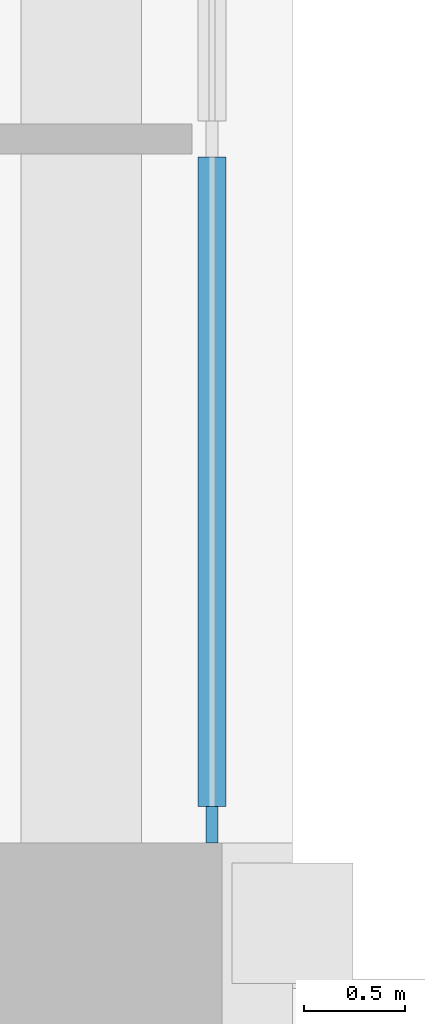
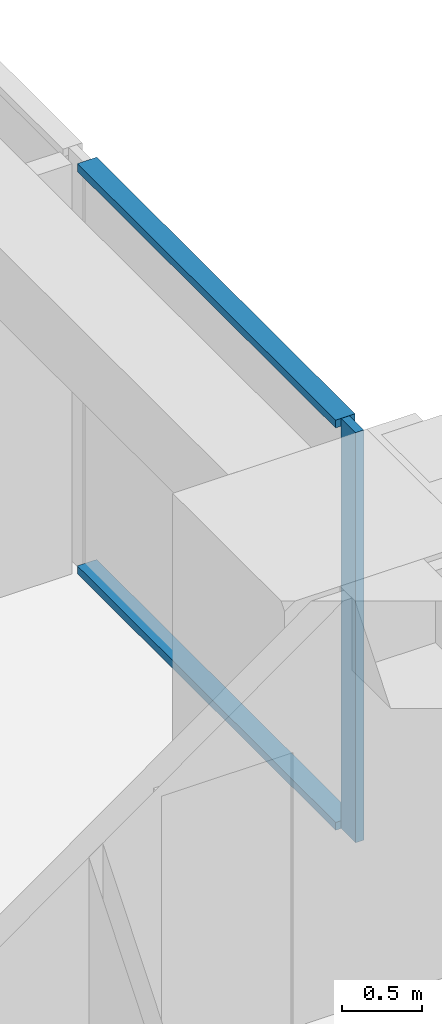
# One storey, part 4 of 17: 3 members, 1 element without a shape of its own.
"""IFC4 building model written with IfcOpenShell, lengths in metres."""

from ifc_helpers import new_model, si_unit, direction, frame, origin, origin_2d, place, context, subcontext, project, spatial, rectangle, extrude, material, material_profile, profile_set, type_object, element, aggregate, save


model = new_model("IFC4")

# Units and contexts
model_context = context("Model", 3, precision=1e-05, world=origin(), true_north=direction((0.0, 1.0)))
body_context = subcontext(model_context, "Body", "Model", "MODEL_VIEW")
ifc_project = project(units=[si_unit("LENGTHUNIT", "METRE"), si_unit("AREAUNIT", "SQUARE_METRE"), si_unit("VOLUMEUNIT", "CUBIC_METRE"), si_unit("PLANEANGLEUNIT", "RADIAN"), si_unit("MASSUNIT", "GRAM", prefix="KILO")], contexts=[model_context])

# Site, building, storey
site_placement = place(None, origin())
site = spatial("IfcSite", under=ifc_project, at=site_placement, CompositionType="ELEMENT")
building_placement = place(site_placement, origin())
building = spatial("IfcBuilding", under=site, at=building_placement, Name="Vermilion Ogive Tower", CompositionType="ELEMENT")
storey_placement = place(building_placement, frame((0.0, 0.0, 51.75)))
storey = spatial("IfcBuildingStorey", under=building, at=storey_placement, Name="L11", CompositionType="ELEMENT", Elevation=51.75)

# Curtain wall, members
ifc_material_1 = material(Name="Low-iron laminated glazing in aluminium frame", Category="aluminium")
curtain_wall_type = type_object("IfcCurtainWallType", Name="Curtain wall CW7", PredefinedType="NOTDEFINED", material=ifc_material_1)
curtain_wall_placement = place(storey_placement, origin())
curtain_wall = element("IfcCurtainWall", 1, at=curtain_wall_placement, inside=storey, type_object=curtain_wall_type, Name="Glazed skin E3", PredefinedType="NOTDEFINED")
ifc_material_2 = material(Name="Aluminium mullion", Category="aluminium")
ifc_material_profile_1 = material_profile(ifc_material_2, rectangle(XDim=0.06005859375, YDim=0.179931640625, at=origin_2d()), Name="AL 60x180")
ifc_profile_set_1 = profile_set([ifc_material_profile_1], Name="Aluminium mullion")
member_type_1 = type_object("IfcMemberType", Name="CW7 mullion 60x180", PredefinedType="MULLION", material=ifc_profile_set_1)
member_1_placement = place(storey_placement, frame((25.85009765625, 4.989990234375, 0.0), z_axis=(0.0, 0.0, 1.0), x_axis=(-1.0, 0.0, 0.0)))
member_1 = element("IfcMember", 2, at=member_1_placement, type_object=member_type_1, Name="CW7-E3 mullion 1", PredefinedType="MULLION", context=body_context, shape_type="SweptSolid", body=[
    extrude(rectangle(XDim=0.06005859375, YDim=0.179931640625, at=origin_2d()), origin(), (0.0, 0.0, 1.0), 3.1298828125),
])
ifc_material_3 = material(Name="Aluminium transom", Category="aluminium")
ifc_material_profile_2 = material_profile(ifc_material_3, rectangle(XDim=0.139892578125, YDim=0.06005859375, at=origin_2d()), Name="AL 60x140")
ifc_profile_set_2 = profile_set([ifc_material_profile_2], Name="Aluminium transom")
member_type_2 = type_object("IfcMemberType", Name="CW7 transom 60x140", PredefinedType="USERDEFINED", material=ifc_profile_set_2)
member_2_placement = place(storey_placement, frame((25.85009765625, 5.080078125, 0.030029296875), z_axis=(0.0, 1.0, 0.0), x_axis=(-1.0, 0.0, 0.0)))
member_2 = element("IfcMember", 3, at=member_2_placement, type_object=member_type_2, Name="CW7-E3 transom 1.1", ObjectType="TRANSOM", PredefinedType="USERDEFINED", context=body_context, shape_type="SweptSolid", body=[
    extrude(rectangle(XDim=0.139892578125, YDim=0.06005859375, at=origin_2d()), origin(), (0.0, 0.0, 1.0), 3.22998046875),
])
member_3_placement = place(storey_placement, frame((25.85009765625, 5.080078125, 3.10009765625), z_axis=(0.0, 1.0, 0.0), x_axis=(-1.0, 0.0, 0.0)))
member_3 = element("IfcMember", 4, at=member_3_placement, type_object=member_type_2, Name="CW7-E3 transom 1.2", ObjectType="TRANSOM", PredefinedType="USERDEFINED", context=body_context, shape_type="SweptSolid", body=[
    extrude(rectangle(XDim=0.139892578125, YDim=0.06005859375, at=origin_2d()), origin(), (0.0, 0.0, 1.0), 3.22998046875),
])
aggregate(curtain_wall, [member_1, member_2, member_3])

save(model, "model.ifc")
